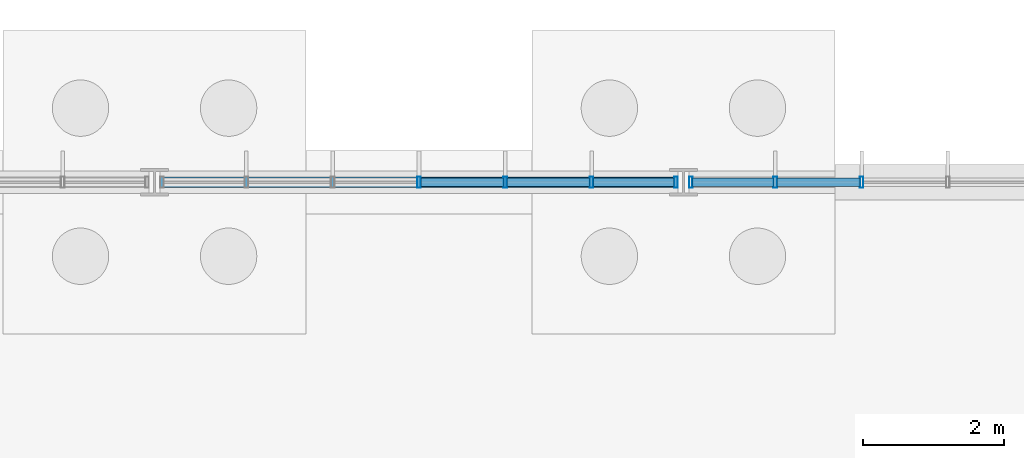
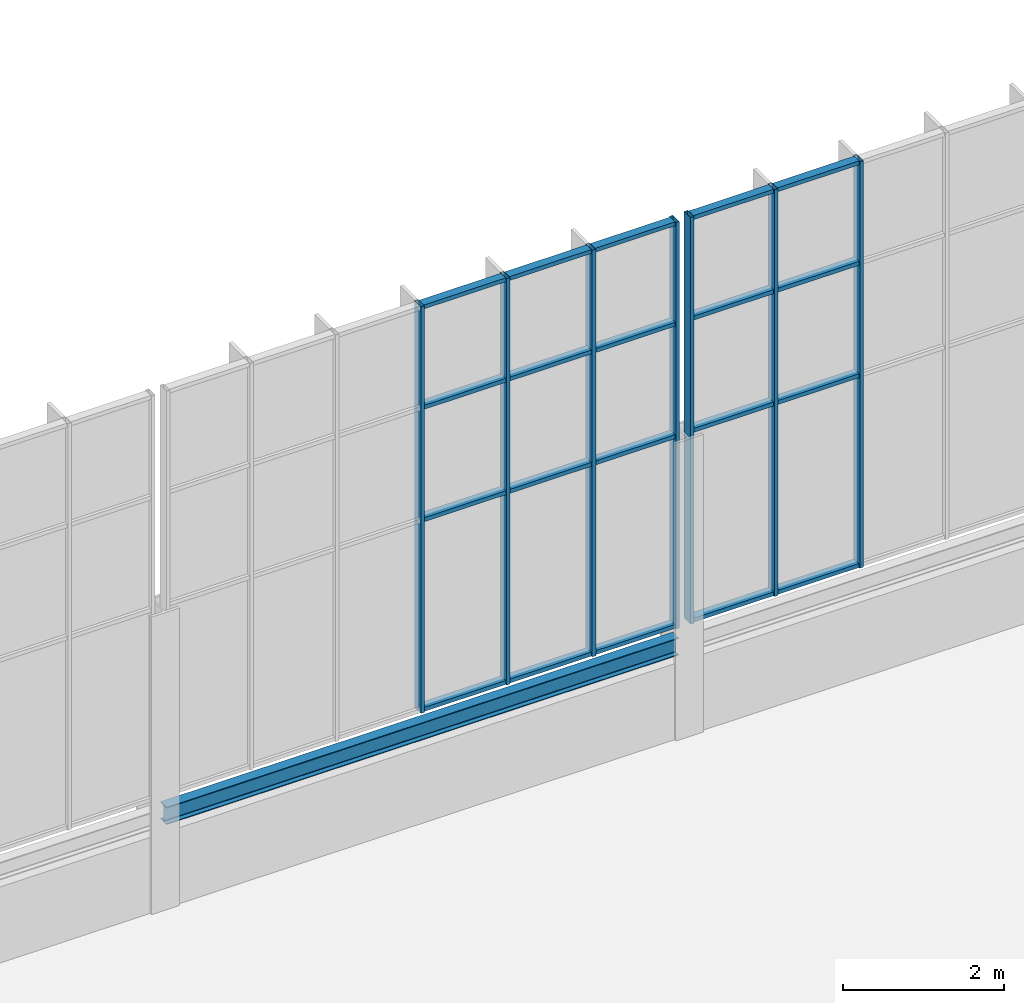
# One storey, part 60 of 136: 27 members, 1 beam, 2 elements without a shape of their own.
"""IFC4 building model written with IfcOpenShell, lengths in metres."""

from ifc_helpers import new_model, si_unit, direction, frame, origin, origin_2d, place, context, subcontext, project, spatial, hollow_rectangle, i_section, extrude, material, layer, layer_set, material_profile, profile_set, type_object, element, aggregate, save


model = new_model("IFC4")

# Units and contexts
model_context = context("Model", 3, precision=1e-05, world=origin(), true_north=direction((0.0, 1.0)))
body_context = subcontext(model_context, "Body", "Model", "MODEL_VIEW")
ifc_project = project(units=[si_unit("LENGTHUNIT", "METRE"), si_unit("AREAUNIT", "SQUARE_METRE"), si_unit("VOLUMEUNIT", "CUBIC_METRE"), si_unit("PLANEANGLEUNIT", "RADIAN"), si_unit("MASSUNIT", "GRAM", prefix="KILO")], contexts=[model_context])

# Site, building, storey
site_placement = place(None, origin())
site = spatial("IfcSite", under=ifc_project, at=site_placement, CompositionType="ELEMENT")
building_placement = place(site_placement, origin())
building = spatial("IfcBuilding", under=site, at=building_placement, Name="Solvenia Promenade Tram Depot", CompositionType="ELEMENT")
storey_placement = place(building_placement, origin())
storey = spatial("IfcBuildingStorey", under=building, at=storey_placement, Name="L00", CompositionType="ELEMENT", Elevation=0.0)

# Curtain wall, members
ifc_material_1 = material(Name="Anodized aluminium AW-6063 T6", Category="aluminium")
ifc_layer = layer(ifc_material_1, 0.159912109375, Name="Anodized aluminium AW-6063 T6", Category="aluminium")
ifc_layer_set = layer_set([ifc_layer], Name="Anodized aluminium AW-6063 T6")
curtain_wall_type = type_object("IfcCurtainWallType", Name="CW-Channel-1200", PredefinedType="NOTDEFINED", material=ifc_layer_set)
curtain_wall_1_placement = place(storey_placement, origin())
curtain_wall_1 = element("IfcCurtainWall", 1, at=curtain_wall_1_placement, inside=storey, type_object=curtain_wall_type, Name="North Translucent Channel-Glass Wall 08", PredefinedType="NOTDEFINED")
ifc_material_profile_1 = material_profile(ifc_material_1, hollow_rectangle(XDim=0.159912109375, YDim=0.052001953125, WallThickness=0.00390625, at=origin_2d()), Name="ALU-M1", Category="aluminium")
ifc_profile_set_1 = profile_set([ifc_material_profile_1], Name="Anodized aluminium AW-6063 T6")
member_type_1 = type_object("IfcMemberType", Name="CWM-Mullion-1", PredefinedType="MULLION", material=ifc_profile_set_1)
member_1_placement = place(storey_placement, frame((56.25, 126.0, 1.60009765625), z_axis=(0.0, 0.0, 1.0), x_axis=(0.0, 1.0, 0.0)))
member_1 = element("IfcMember", 2, at=member_1_placement, type_object=member_type_1, Name="CW-1 mullion 4", PredefinedType="MULLION", context=body_context, shape_type="SweptSolid", body=[
    extrude(hollow_rectangle(XDim=0.159912109375, YDim=0.052001953125, WallThickness=0.00390625, at=origin_2d()), origin(), (0.0, 0.0, 1.0), 6.14990234375),
])
member_2_placement = place(storey_placement, frame((57.473388671875, 126.0, 1.60009765625), z_axis=(0.0, 0.0, 1.0), x_axis=(0.0, 1.0, 0.0)))
member_2 = element("IfcMember", 3, at=member_2_placement, type_object=member_type_1, Name="CW-1 mullion 5", PredefinedType="MULLION", context=body_context, shape_type="SweptSolid", body=[
    extrude(hollow_rectangle(XDim=0.159912109375, YDim=0.052001953125, WallThickness=0.00390625, at=origin_2d()), origin(), (0.0, 0.0, 1.0), 6.14990234375),
])
member_3_placement = place(storey_placement, frame((58.69677734375, 126.0, 1.60009765625), z_axis=(0.0, 0.0, 1.0), x_axis=(0.0, 1.0, 0.0)))
member_3 = element("IfcMember", 4, at=member_3_placement, type_object=member_type_1, Name="CW-1 mullion 6", PredefinedType="MULLION", context=body_context, shape_type="SweptSolid", body=[
    extrude(hollow_rectangle(XDim=0.159912109375, YDim=0.052001953125, WallThickness=0.00390625, at=origin_2d()), origin(), (0.0, 0.0, 1.0), 6.14990234375),
])
member_4_placement = place(storey_placement, frame((59.89404296875, 126.0, 1.60009765625), z_axis=(0.0, 0.0, 1.0), x_axis=(0.0, 1.0, 0.0)))
member_4 = element("IfcMember", 5, at=member_4_placement, type_object=member_type_1, Name="CW-1 mullion 7", PredefinedType="MULLION", context=body_context, shape_type="SweptSolid", body=[
    extrude(hollow_rectangle(XDim=0.159912109375, YDim=0.052001953125, WallThickness=0.00390625, at=origin_2d()), origin(), (0.0, 0.0, 1.0), 6.14990234375),
])

curtain_wall_2_placement = place(storey_placement, origin())
curtain_wall_2 = element("IfcCurtainWall", 6, at=curtain_wall_2_placement, inside=storey, type_object=curtain_wall_type, Name="North Translucent Channel-Glass Wall 09", PredefinedType="NOTDEFINED")
member_5_placement = place(storey_placement, frame((60.10595703125, 126.0, 1.60009765625), z_axis=(0.0, 0.0, 1.0), x_axis=(0.0, 1.0, 0.0)))
member_5 = element("IfcMember", 7, at=member_5_placement, type_object=member_type_1, Name="CW-1 mullion 1", PredefinedType="MULLION", context=body_context, shape_type="SweptSolid", body=[
    extrude(hollow_rectangle(XDim=0.159912109375, YDim=0.052001953125, WallThickness=0.00390625, at=origin_2d()), origin(), (0.0, 0.0, 1.0), 6.14990234375),
])
member_6_placement = place(storey_placement, frame((61.30322265625, 126.0, 1.60009765625), z_axis=(0.0, 0.0, 1.0), x_axis=(0.0, 1.0, 0.0)))
member_6 = element("IfcMember", 8, at=member_6_placement, type_object=member_type_1, Name="CW-1 mullion 2", PredefinedType="MULLION", context=body_context, shape_type="SweptSolid", body=[
    extrude(hollow_rectangle(XDim=0.159912109375, YDim=0.052001953125, WallThickness=0.00390625, at=origin_2d()), origin(), (0.0, 0.0, 1.0), 6.14990234375),
])
member_7_placement = place(storey_placement, frame((62.526611328125, 126.0, 1.60009765625), z_axis=(0.0, 0.0, 1.0), x_axis=(0.0, 1.0, 0.0)))
member_7 = element("IfcMember", 9, at=member_7_placement, type_object=member_type_1, Name="CW-1 mullion 3", PredefinedType="MULLION", context=body_context, shape_type="SweptSolid", body=[
    extrude(hollow_rectangle(XDim=0.159912109375, YDim=0.052001953125, WallThickness=0.00390625, at=origin_2d()), origin(), (0.0, 0.0, 1.0), 6.14990234375),
])

# Member
ifc_material_profile_2 = material_profile(ifc_material_1, hollow_rectangle(XDim=0.1201171875, YDim=0.06005859375, WallThickness=0.00390625, at=origin_2d()), Name="ALU-T1", Category="aluminium")
ifc_profile_set_2 = profile_set([ifc_material_profile_2], Name="Anodized aluminium AW-6063 T6")
member_type_2 = type_object("IfcMemberType", Name="CWT-Transom-1", PredefinedType="USERDEFINED", material=ifc_profile_set_2)
member_8_placement = place(storey_placement, frame((56.27587890625, 126.0, 1.6298828125), z_axis=(1.0, 0.0, 0.0), x_axis=(0.0, 1.0, 0.0)))
member_8 = element("IfcMember", 10, at=member_8_placement, type_object=member_type_2, Name="CW-1 transom 4.1", ObjectType="TRANSOM", PredefinedType="USERDEFINED", context=body_context, shape_type="SweptSolid", body=[
    extrude(hollow_rectangle(XDim=0.1201171875, YDim=0.06005859375, WallThickness=0.00390625, at=origin_2d()), origin(), (0.0, 0.0, 1.0), 1.17138671875),
])

member_9_placement = place(storey_placement, frame((56.27587890625, 126.0, 4.5), z_axis=(1.0, 0.0, 0.0), x_axis=(0.0, 1.0, 0.0)))
member_9 = element("IfcMember", 11, at=member_9_placement, type_object=member_type_2, Name="CW-1 transom 4.2", ObjectType="TRANSOM", PredefinedType="USERDEFINED", context=body_context, shape_type="SweptSolid", body=[
    extrude(hollow_rectangle(XDim=0.1201171875, YDim=0.06005859375, WallThickness=0.00390625, at=origin_2d()), origin(), (0.0, 0.0, 1.0), 1.17138671875),
])

member_10_placement = place(storey_placement, frame((56.27587890625, 126.0, 6.199951171875), z_axis=(1.0, 0.0, 0.0), x_axis=(0.0, 1.0, 0.0)))
member_10 = element("IfcMember", 12, at=member_10_placement, type_object=member_type_2, Name="CW-1 transom 4.3", ObjectType="TRANSOM", PredefinedType="USERDEFINED", context=body_context, shape_type="SweptSolid", body=[
    extrude(hollow_rectangle(XDim=0.1201171875, YDim=0.06005859375, WallThickness=0.00390625, at=origin_2d()), origin(), (0.0, 0.0, 1.0), 1.17138671875),
])

member_11_placement = place(storey_placement, frame((56.27587890625, 126.0, 7.719970703125), z_axis=(1.0, 0.0, 0.0), x_axis=(0.0, 1.0, 0.0)))
member_11 = element("IfcMember", 13, at=member_11_placement, type_object=member_type_2, Name="CW-1 transom 4.4", ObjectType="TRANSOM", PredefinedType="USERDEFINED", context=body_context, shape_type="SweptSolid", body=[
    extrude(hollow_rectangle(XDim=0.1201171875, YDim=0.06005859375, WallThickness=0.00390625, at=origin_2d()), origin(), (0.0, 0.0, 1.0), 1.17138671875),
])

member_12_placement = place(storey_placement, frame((57.499267578125, 126.0, 1.6298828125), z_axis=(1.0, 0.0, 0.0), x_axis=(0.0, 1.0, 0.0)))
member_12 = element("IfcMember", 14, at=member_12_placement, type_object=member_type_2, Name="CW-1 transom 5.1", ObjectType="TRANSOM", PredefinedType="USERDEFINED", context=body_context, shape_type="SweptSolid", body=[
    extrude(hollow_rectangle(XDim=0.1201171875, YDim=0.06005859375, WallThickness=0.00390625, at=origin_2d()), origin(), (0.0, 0.0, 1.0), 1.17138671875),
])

member_13_placement = place(storey_placement, frame((57.499267578125, 126.0, 4.5), z_axis=(1.0, 0.0, 0.0), x_axis=(0.0, 1.0, 0.0)))
member_13 = element("IfcMember", 15, at=member_13_placement, type_object=member_type_2, Name="CW-1 transom 5.2", ObjectType="TRANSOM", PredefinedType="USERDEFINED", context=body_context, shape_type="SweptSolid", body=[
    extrude(hollow_rectangle(XDim=0.1201171875, YDim=0.06005859375, WallThickness=0.00390625, at=origin_2d()), origin(), (0.0, 0.0, 1.0), 1.17138671875),
])

member_14_placement = place(storey_placement, frame((57.499267578125, 126.0, 6.199951171875), z_axis=(1.0, 0.0, 0.0), x_axis=(0.0, 1.0, 0.0)))
member_14 = element("IfcMember", 16, at=member_14_placement, type_object=member_type_2, Name="CW-1 transom 5.3", ObjectType="TRANSOM", PredefinedType="USERDEFINED", context=body_context, shape_type="SweptSolid", body=[
    extrude(hollow_rectangle(XDim=0.1201171875, YDim=0.06005859375, WallThickness=0.00390625, at=origin_2d()), origin(), (0.0, 0.0, 1.0), 1.17138671875),
])

member_15_placement = place(storey_placement, frame((57.499267578125, 126.0, 7.719970703125), z_axis=(1.0, 0.0, 0.0), x_axis=(0.0, 1.0, 0.0)))
member_15 = element("IfcMember", 17, at=member_15_placement, type_object=member_type_2, Name="CW-1 transom 5.4", ObjectType="TRANSOM", PredefinedType="USERDEFINED", context=body_context, shape_type="SweptSolid", body=[
    extrude(hollow_rectangle(XDim=0.1201171875, YDim=0.06005859375, WallThickness=0.00390625, at=origin_2d()), origin(), (0.0, 0.0, 1.0), 1.17138671875),
])

member_16_placement = place(storey_placement, frame((58.72265625, 126.0, 1.6298828125), z_axis=(1.0, 0.0, 0.0), x_axis=(0.0, 1.0, 0.0)))
member_16 = element("IfcMember", 18, at=member_16_placement, type_object=member_type_2, Name="CW-1 transom 6.1", ObjectType="TRANSOM", PredefinedType="USERDEFINED", context=body_context, shape_type="SweptSolid", body=[
    extrude(hollow_rectangle(XDim=0.1201171875, YDim=0.06005859375, WallThickness=0.00390625, at=origin_2d()), origin(), (0.0, 0.0, 1.0), 1.145263671875),
])

member_17_placement = place(storey_placement, frame((58.72265625, 126.0, 4.5), z_axis=(1.0, 0.0, 0.0), x_axis=(0.0, 1.0, 0.0)))
member_17 = element("IfcMember", 19, at=member_17_placement, type_object=member_type_2, Name="CW-1 transom 6.2", ObjectType="TRANSOM", PredefinedType="USERDEFINED", context=body_context, shape_type="SweptSolid", body=[
    extrude(hollow_rectangle(XDim=0.1201171875, YDim=0.06005859375, WallThickness=0.00390625, at=origin_2d()), origin(), (0.0, 0.0, 1.0), 1.145263671875),
])

member_18_placement = place(storey_placement, frame((58.72265625, 126.0, 6.199951171875), z_axis=(1.0, 0.0, 0.0), x_axis=(0.0, 1.0, 0.0)))
member_18 = element("IfcMember", 20, at=member_18_placement, type_object=member_type_2, Name="CW-1 transom 6.3", ObjectType="TRANSOM", PredefinedType="USERDEFINED", context=body_context, shape_type="SweptSolid", body=[
    extrude(hollow_rectangle(XDim=0.1201171875, YDim=0.06005859375, WallThickness=0.00390625, at=origin_2d()), origin(), (0.0, 0.0, 1.0), 1.145263671875),
])

member_19_placement = place(storey_placement, frame((58.72265625, 126.0, 7.719970703125), z_axis=(1.0, 0.0, 0.0), x_axis=(0.0, 1.0, 0.0)))
member_19 = element("IfcMember", 21, at=member_19_placement, type_object=member_type_2, Name="CW-1 transom 6.4", ObjectType="TRANSOM", PredefinedType="USERDEFINED", context=body_context, shape_type="SweptSolid", body=[
    extrude(hollow_rectangle(XDim=0.1201171875, YDim=0.06005859375, WallThickness=0.00390625, at=origin_2d()), origin(), (0.0, 0.0, 1.0), 1.145263671875),
])

aggregate(curtain_wall_1, [member_1, member_2, member_3, member_4, member_8, member_9, member_10, member_11, member_12, member_13, member_14, member_15, member_16, member_17, member_18, member_19])

member_20_placement = place(storey_placement, frame((60.132080078125, 126.0, 1.6298828125), z_axis=(1.0, 0.0, 0.0), x_axis=(0.0, 1.0, 0.0)))
member_20 = element("IfcMember", 22, at=member_20_placement, type_object=member_type_2, Name="CW-1 transom 1.1", ObjectType="TRANSOM", PredefinedType="USERDEFINED", context=body_context, shape_type="SweptSolid", body=[
    extrude(hollow_rectangle(XDim=0.1201171875, YDim=0.06005859375, WallThickness=0.00390625, at=origin_2d()), origin(), (0.0, 0.0, 1.0), 1.145263671875),
])

member_21_placement = place(storey_placement, frame((60.132080078125, 126.0, 4.5), z_axis=(1.0, 0.0, 0.0), x_axis=(0.0, 1.0, 0.0)))
member_21 = element("IfcMember", 23, at=member_21_placement, type_object=member_type_2, Name="CW-1 transom 1.2", ObjectType="TRANSOM", PredefinedType="USERDEFINED", context=body_context, shape_type="SweptSolid", body=[
    extrude(hollow_rectangle(XDim=0.1201171875, YDim=0.06005859375, WallThickness=0.00390625, at=origin_2d()), origin(), (0.0, 0.0, 1.0), 1.145263671875),
])

member_22_placement = place(storey_placement, frame((60.132080078125, 126.0, 6.199951171875), z_axis=(1.0, 0.0, 0.0), x_axis=(0.0, 1.0, 0.0)))
member_22 = element("IfcMember", 24, at=member_22_placement, type_object=member_type_2, Name="CW-1 transom 1.3", ObjectType="TRANSOM", PredefinedType="USERDEFINED", context=body_context, shape_type="SweptSolid", body=[
    extrude(hollow_rectangle(XDim=0.1201171875, YDim=0.06005859375, WallThickness=0.00390625, at=origin_2d()), origin(), (0.0, 0.0, 1.0), 1.145263671875),
])

member_23_placement = place(storey_placement, frame((60.132080078125, 126.0, 7.719970703125), z_axis=(1.0, 0.0, 0.0), x_axis=(0.0, 1.0, 0.0)))
member_23 = element("IfcMember", 25, at=member_23_placement, type_object=member_type_2, Name="CW-1 transom 1.4", ObjectType="TRANSOM", PredefinedType="USERDEFINED", context=body_context, shape_type="SweptSolid", body=[
    extrude(hollow_rectangle(XDim=0.1201171875, YDim=0.06005859375, WallThickness=0.00390625, at=origin_2d()), origin(), (0.0, 0.0, 1.0), 1.145263671875),
])

member_24_placement = place(storey_placement, frame((61.329345703125, 126.0, 1.6298828125), z_axis=(1.0, 0.0, 0.0), x_axis=(0.0, 1.0, 0.0)))
member_24 = element("IfcMember", 26, at=member_24_placement, type_object=member_type_2, Name="CW-1 transom 2.1", ObjectType="TRANSOM", PredefinedType="USERDEFINED", context=body_context, shape_type="SweptSolid", body=[
    extrude(hollow_rectangle(XDim=0.1201171875, YDim=0.06005859375, WallThickness=0.00390625, at=origin_2d()), origin(), (0.0, 0.0, 1.0), 1.17138671875),
])

member_25_placement = place(storey_placement, frame((61.329345703125, 126.0, 4.5), z_axis=(1.0, 0.0, 0.0), x_axis=(0.0, 1.0, 0.0)))
member_25 = element("IfcMember", 27, at=member_25_placement, type_object=member_type_2, Name="CW-1 transom 2.2", ObjectType="TRANSOM", PredefinedType="USERDEFINED", context=body_context, shape_type="SweptSolid", body=[
    extrude(hollow_rectangle(XDim=0.1201171875, YDim=0.06005859375, WallThickness=0.00390625, at=origin_2d()), origin(), (0.0, 0.0, 1.0), 1.17138671875),
])

member_26_placement = place(storey_placement, frame((61.329345703125, 126.0, 6.199951171875), z_axis=(1.0, 0.0, 0.0), x_axis=(0.0, 1.0, 0.0)))
member_26 = element("IfcMember", 28, at=member_26_placement, type_object=member_type_2, Name="CW-1 transom 2.3", ObjectType="TRANSOM", PredefinedType="USERDEFINED", context=body_context, shape_type="SweptSolid", body=[
    extrude(hollow_rectangle(XDim=0.1201171875, YDim=0.06005859375, WallThickness=0.00390625, at=origin_2d()), origin(), (0.0, 0.0, 1.0), 1.17138671875),
])

member_27_placement = place(storey_placement, frame((61.329345703125, 126.0, 7.719970703125), z_axis=(1.0, 0.0, 0.0), x_axis=(0.0, 1.0, 0.0)))
member_27 = element("IfcMember", 29, at=member_27_placement, type_object=member_type_2, Name="CW-1 transom 2.4", ObjectType="TRANSOM", PredefinedType="USERDEFINED", context=body_context, shape_type="SweptSolid", body=[
    extrude(hollow_rectangle(XDim=0.1201171875, YDim=0.06005859375, WallThickness=0.00390625, at=origin_2d()), origin(), (0.0, 0.0, 1.0), 1.17138671875),
])

aggregate(curtain_wall_2, [member_5, member_6, member_7, member_20, member_21, member_22, member_23, member_24, member_25, member_26, member_27])

# Beam
ifc_material_2 = material(Name="Structural steel ASTM A992 Gr. 50", Category="steel")
ifc_material_profile_3 = material_profile(ifc_material_2, i_section(OverallWidth=0.14697265625, OverallDepth=0.261962890625, WebThickness=0.006591796875, FlangeThickness=0.01123046875, FilletRadius=0.010009765625, at=origin_2d()), Name="W250x39", Category="steel")
ifc_profile_set_3 = profile_set([ifc_material_profile_3], Name="Structural steel ASTM A992 Gr. 50")
beam_type = type_object("IfcBeamType", Name="Lintel-W250x39", PredefinedType="LINTEL", material=ifc_profile_set_3)
beam_placement = place(storey_placement, frame((52.5849609375, 126.0, 1.319091796875), z_axis=(1.0, 0.0, 0.0), x_axis=(0.0, 1.0, 0.0)))
element("IfcBeam", 30, at=beam_placement, inside=storey, type_object=beam_type, Name="North Plinth Header Beam 8 BM-L00-0941", PredefinedType="LINTEL", context=body_context, shape_type="SweptSolid", body=[
    extrude(i_section(OverallWidth=0.14697265625, OverallDepth=0.261962890625, WebThickness=0.006591796875, FlangeThickness=0.01123046875, FilletRadius=0.010009765625, at=origin_2d()), origin(), (0.0, 0.0, 1.0), 7.330078125),
])

save(model, "model.ifc")
